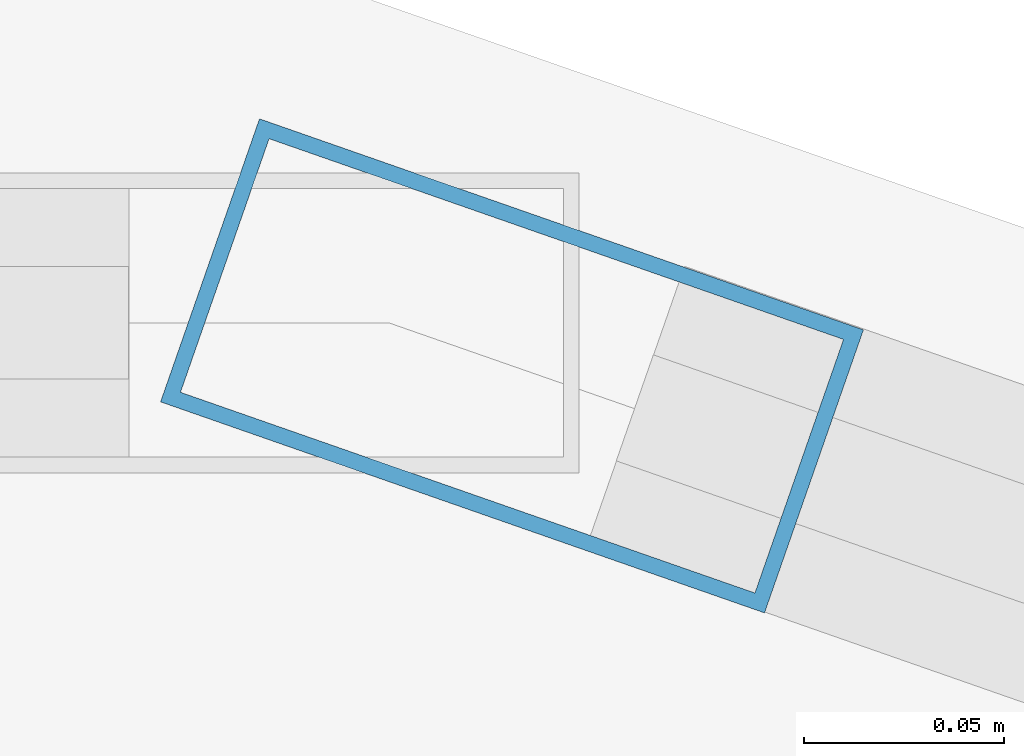
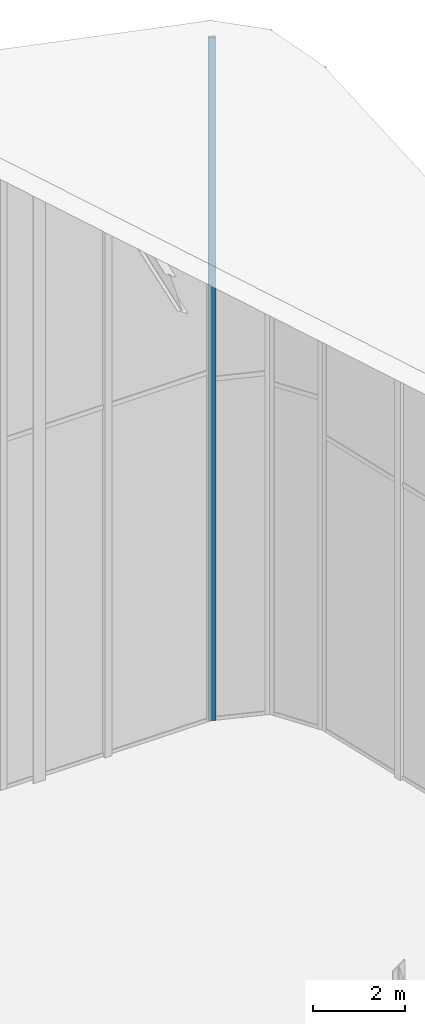
# One storey, part 70 of 74: 1 member, 1 element without a shape of its own.
"""IFC4 building model written with IfcOpenShell, lengths in metres."""

from ifc_helpers import new_model, si_unit, direction, frame, origin, origin_2d, place, context, subcontext, project, spatial, hollow_rectangle, extrude, material, layer, layer_set, material_profile, profile_set, type_object, element, aggregate, save


model = new_model("IFC4")

# Units and contexts
model_context = context("Model", 3, precision=1e-05, world=origin(), true_north=direction((0.0, 1.0)))
body_context = subcontext(model_context, "Body", "Model", "MODEL_VIEW")
ifc_project = project(units=[si_unit("LENGTHUNIT", "METRE"), si_unit("AREAUNIT", "SQUARE_METRE"), si_unit("VOLUMEUNIT", "CUBIC_METRE"), si_unit("PLANEANGLEUNIT", "RADIAN"), si_unit("MASSUNIT", "GRAM", prefix="KILO")], contexts=[model_context])

# Site, building, storey
site_placement = place(None, origin())
site = spatial("IfcSite", under=ifc_project, at=site_placement, CompositionType="ELEMENT")
building_placement = place(site_placement, origin())
building = spatial("IfcBuilding", under=site, at=building_placement, Name="Keshet Zoharim Tower", CompositionType="ELEMENT")
storey_placement = place(building_placement, frame((0.0, 0.0, 320.0)))
storey = spatial("IfcBuildingStorey", under=building, at=storey_placement, Name="RF", CompositionType="ELEMENT", Elevation=320.0)

# Curtain wall, member
ifc_material = material(Name="Aluminium 6063-T6", Category="aluminium")
ifc_layer = layer(ifc_material, 0.260009765625)
ifc_layer_set = layer_set([ifc_layer], Name="Aluminium 6063-T6")
curtain_wall_type = type_object("IfcCurtainWallType", Name="CW-SYS-06", PredefinedType="NOTDEFINED", material=ifc_layer_set)
curtain_wall_placement = place(storey_placement, origin())
curtain_wall = element("IfcCurtainWall", 1, at=curtain_wall_placement, inside=storey, type_object=curtain_wall_type, Name="Slanted Crown Curtain Wall 15", PredefinedType="NOTDEFINED")
ifc_material_profile = material_profile(ifc_material, hollow_rectangle(XDim=0.074951171875, YDim=0.159912109375, WallThickness=0.00390625, at=origin_2d()), Name="MUL-75x160")
ifc_profile_set = profile_set([ifc_material_profile], Name="Aluminium 6063-T6")
member_type = type_object("IfcMemberType", Name="CWM-M15", PredefinedType="MULLION", material=ifc_profile_set)
member_placement = place(storey_placement, frame((37.439697265625, 53.88916015625, 0.0), z_axis=(0.0, 0.0, 1.0), x_axis=(0.329843743636, 0.944035542119, 0.0)))
member = element("IfcMember", 2, at=member_placement, type_object=member_type, Name="CW-06 mullion 1", PredefinedType="MULLION", context=body_context, shape_type="SweptSolid", body=[
    extrude(hollow_rectangle(XDim=0.074951171875, YDim=0.159912109375, WallThickness=0.00390625, at=origin_2d()), origin(), (0.0, 0.0, 1.0), 18.1650390625),
])
aggregate(curtain_wall, [member])

save(model, "model.ifc")
